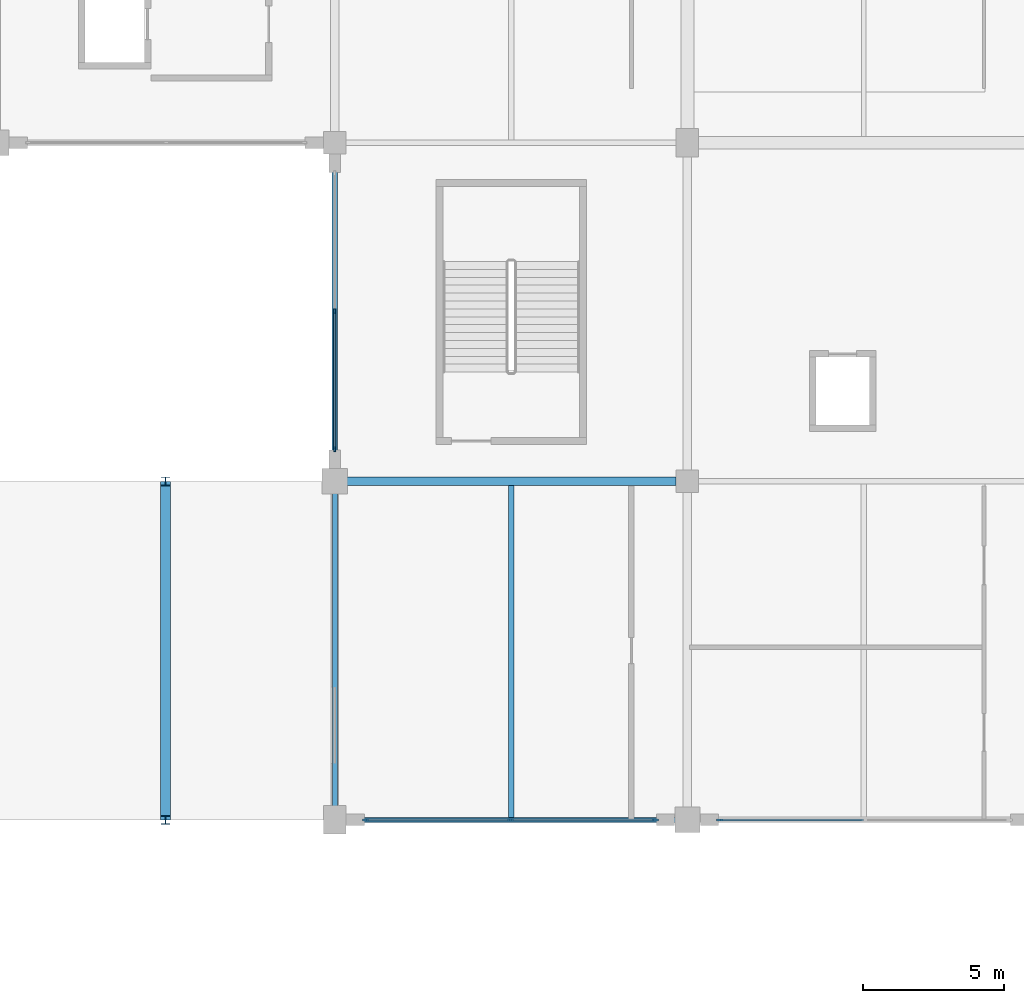
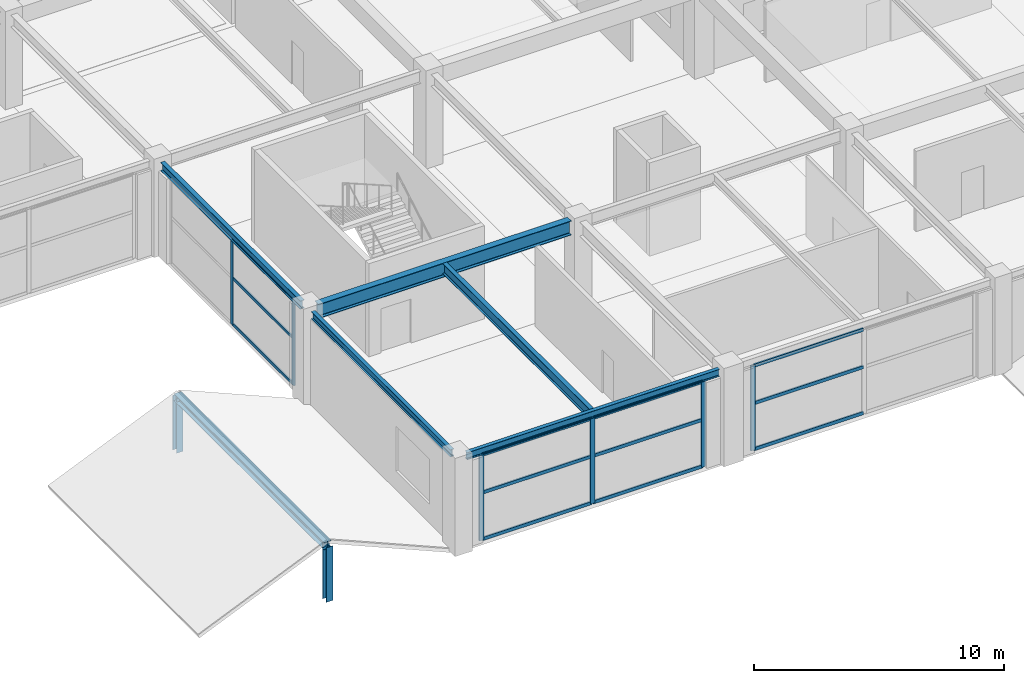
# One storey, part 5 of 134: 21 members, 5 beams, 3 elements without a shape of their own.
"""IFC4 building model written with IfcOpenShell, lengths in metres."""

from ifc_helpers import new_model, si_unit, direction, frame, origin, origin_2d, place, context, subcontext, project, spatial, rectangle, i_section, extrude, material, layer, layer_set, material_profile, profile_set, type_object, element, aggregate, save


model = new_model("IFC4")

# Units and contexts
model_context = context("Model", 3, precision=1e-05, world=origin(), true_north=direction((0.0, 1.0)))
body_context = subcontext(model_context, "Body", "Model", "MODEL_VIEW")
ifc_project = project(units=[si_unit("LENGTHUNIT", "METRE"), si_unit("AREAUNIT", "SQUARE_METRE"), si_unit("VOLUMEUNIT", "CUBIC_METRE"), si_unit("PLANEANGLEUNIT", "RADIAN"), si_unit("MASSUNIT", "GRAM", prefix="KILO")], contexts=[model_context])

# Site, building, storey
site_placement = place(None, origin())
site = spatial("IfcSite", under=ifc_project, at=site_placement, CompositionType="ELEMENT")
building_placement = place(site_placement, origin())
building = spatial("IfcBuilding", under=site, at=building_placement, Name="Kazenohara Klinker Stadium", CompositionType="ELEMENT")
storey_placement = place(building_placement, frame((0.0, 0.0, 5.39990234375)))
storey = spatial("IfcBuildingStorey", under=building, at=storey_placement, Name="L01", CompositionType="ELEMENT", Elevation=5.39990234375)

# Beams
ifc_material_1 = material(Name="Steel S355", Category="steel")
ifc_material_profile_1 = material_profile(ifc_material_1, i_section(OverallWidth=0.199951171875, OverallDepth=0.5, WebThickness=0.010009765625, FlangeThickness=0.01611328125, FilletRadius=0.012939453125, at=origin_2d()), Name="H-500x200x10x16")
ifc_profile_set_1 = profile_set([ifc_material_profile_1], Name="Steel S355")
beam_type_1 = type_object("IfcBeamType", Name="BM-JST01", PredefinedType="JOIST", material=ifc_profile_set_1)
beam_1_placement = place(storey_placement, frame((30.25, 12.08740234375, 4.300048828125), z_axis=(0.0, 1.0, 0.0), x_axis=(-1.0, 0.0, 0.0)))
element("IfcBeam", 1, at=beam_1_placement, inside=storey, type_object=beam_type_1, Name="Secondary floor joist SJ01 L01 3/B", PredefinedType="JOIST", context=body_context, shape_type="SweptSolid", body=[
    extrude(i_section(OverallWidth=0.199951171875, OverallDepth=0.5, WebThickness=0.010009765625, FlangeThickness=0.01611328125, FilletRadius=0.012939453125, at=origin_2d()), origin(), (0.0, 0.0, 1.0), 11.7626953125),
])
ifc_material_profile_2 = material_profile(ifc_material_1, i_section(OverallWidth=0.199951171875, OverallDepth=0.39990234375, WebThickness=0.008056640625, FlangeThickness=0.012939453125, FilletRadius=0.012939453125, at=origin_2d()), Name="H-400x200x8x13")
ifc_profile_set_2 = profile_set([ifc_material_profile_2], Name="Steel S355")
beam_type_2 = type_object("IfcBeamType", Name="BM-SPD01", PredefinedType="SPANDREL", material=ifc_profile_set_2)
beam_2_placement = place(storey_placement, frame((24.0, 24.419921875, 4.35009765625), z_axis=(0.0, 1.0, 0.0), x_axis=(-1.0, 0.0, 0.0)))
element("IfcBeam", 2, at=beam_2_placement, inside=storey, type_object=beam_type_2, Name="Primary girder SP01 L01 3/C-D", PredefinedType="SPANDREL", context=body_context, shape_type="SweptSolid", body=[
    extrude(i_section(OverallWidth=0.199951171875, OverallDepth=0.39990234375, WebThickness=0.008056640625, FlangeThickness=0.012939453125, FilletRadius=0.012939453125, at=origin_2d()), origin(), (0.0, 0.0, 1.0), 11.18017578125),
])
ifc_material_profile_3 = material_profile(ifc_material_1, i_section(OverallWidth=0.175048828125, OverallDepth=0.35009765625, WebThickness=0.007080078125, FlangeThickness=0.010986328125, FilletRadius=0.012939453125, at=origin_2d()), Name="H-350x175x7x11")
ifc_profile_set_3 = profile_set([ifc_material_profile_3], Name="Steel S355")
beam_type_3 = type_object("IfcBeamType", Name="BM-SPD02", PredefinedType="SPANDREL", material=ifc_profile_set_3)
beam_3_placement = place(storey_placement, frame((24.39990234375, 12.0, 4.375), z_axis=(1.0, 0.0, 0.0), x_axis=(0.0, 1.0, 0.0)))
element("IfcBeam", 3, at=beam_3_placement, inside=storey, type_object=beam_type_3, Name="Primary girder SP02 L01 3-4/B", PredefinedType="SPANDREL", context=body_context, shape_type="SweptSolid", body=[
    extrude(i_section(OverallWidth=0.175048828125, OverallDepth=0.35009765625, WebThickness=0.007080078125, FlangeThickness=0.010986328125, FilletRadius=0.012939453125, at=origin_2d()), origin(), (0.0, 0.0, 1.0), 11.68017578125),
])
beam_4_placement = place(storey_placement, frame((24.0, 12.419921875, 4.375), z_axis=(0.0, 1.0, 0.0), x_axis=(-1.0, 0.0, 0.0)))
element("IfcBeam", 4, at=beam_4_placement, inside=storey, type_object=beam_type_3, Name="Primary girder SP02 L01 3/B-C", PredefinedType="SPANDREL", context=body_context, shape_type="SweptSolid", body=[
    extrude(i_section(OverallWidth=0.175048828125, OverallDepth=0.35009765625, WebThickness=0.007080078125, FlangeThickness=0.010986328125, FilletRadius=0.012939453125, at=origin_2d()), origin(), (0.0, 0.0, 1.0), 11.16015625),
])
ifc_material_profile_4 = material_profile(ifc_material_1, i_section(OverallWidth=0.300048828125, OverallDepth=0.699951171875, WebThickness=0.012939453125, FlangeThickness=0.02392578125, FilletRadius=0.02197265625, at=origin_2d()), Name="H-700x300x13x24")
ifc_profile_set_4 = profile_set([ifc_material_profile_4], Name="Steel S355")
beam_type_4 = type_object("IfcBeamType", Name="BM-ST03", PredefinedType="BEAM", material=ifc_profile_set_4)
beam_5_placement = place(storey_placement, frame((24.419921875, 24.0, 4.2001953125), z_axis=(1.0, 0.0, 0.0), x_axis=(0.0, 1.0, 0.0)))
element("IfcBeam", 5, at=beam_5_placement, inside=storey, type_object=beam_type_4, Name="Primary girder SB03 L01 3-4/C", PredefinedType="BEAM", context=body_context, shape_type="SweptSolid", body=[
    extrude(i_section(OverallWidth=0.300048828125, OverallDepth=0.699951171875, WebThickness=0.012939453125, FlangeThickness=0.02392578125, FilletRadius=0.02197265625, at=origin_2d()), origin(), (0.0, 0.0, 1.0), 11.68017578125),
])

# Curtain wall, members
ifc_material_2 = material(Name="Anodised aluminium and triple glazing", Category="aluminium")
ifc_layer_1 = layer(ifc_material_2, 0.179931640625)
ifc_layer_set_1 = layer_set([ifc_layer_1], Name="Anodised aluminium and triple glazing")
curtain_wall_type_1 = type_object("IfcCurtainWallType", Name="CW-SYS-02", PredefinedType="USERDEFINED", material=ifc_layer_set_1)
curtain_wall_1_placement = place(storey_placement, origin())
curtain_wall_1 = element("IfcCurtainWall", 6, at=curtain_wall_1_placement, inside=storey, type_object=curtain_wall_type_1, Name="Unitised facade curtain wall CW02 L01 Y2-2", ObjectType="UNITISED CURTAIN WALL", PredefinedType="USERDEFINED")
ifc_material_3 = material(Name="Anodised aluminium 6063-T6", Category="aluminium")
ifc_material_profile_5 = material_profile(ifc_material_3, rectangle(XDim=0.06494140625, YDim=0.179931640625, at=origin_2d()), Name="ALU-MUL-65x180")
ifc_profile_set_5 = profile_set([ifc_material_profile_5], Name="Anodised aluminium 6063-T6")
member_type_1 = type_object("IfcMemberType", Name="CW-MUL-180", PredefinedType="MULLION", material=ifc_profile_set_5)
member_1_placement = place(storey_placement, frame((24.0, 25.136474609375, 0.0), z_axis=(0.0, 0.0, 1.0), x_axis=(-1.0, 0.0, 0.0)))
member_1 = element("IfcMember", 7, at=member_1_placement, type_object=member_type_1, Name="CW02 mullion 1", PredefinedType="MULLION", context=body_context, shape_type="SweptSolid", body=[
    extrude(rectangle(XDim=0.06494140625, YDim=0.179931640625, at=origin_2d()), origin(), (0.0, 0.0, 1.0), 4.150146484375),
])
member_2_placement = place(storey_placement, frame((24.0, 30.02490234375, 0.0), z_axis=(0.0, 0.0, 1.0), x_axis=(-1.0, 0.0, 0.0)))
member_2 = element("IfcMember", 8, at=member_2_placement, type_object=member_type_1, Name="CW02 mullion 2", PredefinedType="MULLION", context=body_context, shape_type="SweptSolid", body=[
    extrude(rectangle(XDim=0.06494140625, YDim=0.179931640625, at=origin_2d()), origin(), (0.0, 0.0, 1.0), 4.150146484375),
])

ifc_layer_2 = layer(ifc_material_2, 0.159912109375)
ifc_layer_set_2 = layer_set([ifc_layer_2], Name="Anodised aluminium and triple glazing")
curtain_wall_type_2 = type_object("IfcCurtainWallType", Name="CW-SYS-01", PredefinedType="USERDEFINED", material=ifc_layer_set_2)
curtain_wall_2_placement = place(storey_placement, origin())
curtain_wall_2 = element("IfcCurtainWall", 9, at=curtain_wall_2_placement, inside=storey, type_object=curtain_wall_type_2, Name="Unitised facade curtain wall CW01 L01 X2-1", ObjectType="UNITISED CURTAIN WALL", PredefinedType="USERDEFINED")
ifc_material_profile_6 = material_profile(ifc_material_3, rectangle(XDim=0.074951171875, YDim=0.219970703125, at=origin_2d()), Name="ALU-MUL-75x220")
ifc_profile_set_6 = profile_set([ifc_material_profile_6], Name="Anodised aluminium 6063-T6")
member_type_2 = type_object("IfcMemberType", Name="CW-MUL-220", PredefinedType="MULLION", material=ifc_profile_set_6)
member_3_placement = place(storey_placement, frame((25.091552734375, 12.0, 0.0), z_axis=(0.0, 0.0, 1.0), x_axis=(0.0, 1.0, 0.0)))
member_3 = element("IfcMember", 10, at=member_3_placement, type_object=member_type_2, Name="CW01 mullion 1", PredefinedType="MULLION", context=body_context, shape_type="SweptSolid", body=[
    extrude(rectangle(XDim=0.074951171875, YDim=0.219970703125, at=origin_2d()), origin(), (0.0, 0.0, 1.0), 4.2001953125),
])
member_4_placement = place(storey_placement, frame((30.22509765625, 12.0, 0.0), z_axis=(0.0, 0.0, 1.0), x_axis=(0.0, 1.0, 0.0)))
member_4 = element("IfcMember", 11, at=member_4_placement, type_object=member_type_2, Name="CW01 mullion 2", PredefinedType="MULLION", context=body_context, shape_type="SweptSolid", body=[
    extrude(rectangle(XDim=0.074951171875, YDim=0.219970703125, at=origin_2d()), origin(), (0.0, 0.0, 1.0), 4.2001953125),
])
member_5_placement = place(storey_placement, frame((35.3583984375, 12.0, 0.0), z_axis=(0.0, 0.0, 1.0), x_axis=(0.0, 1.0, 0.0)))
member_5 = element("IfcMember", 12, at=member_5_placement, type_object=member_type_2, Name="CW01 mullion 3", PredefinedType="MULLION", context=body_context, shape_type="SweptSolid", body=[
    extrude(rectangle(XDim=0.074951171875, YDim=0.219970703125, at=origin_2d()), origin(), (0.0, 0.0, 1.0), 4.2001953125),
])

# Curtain wall, member
ifc_layer_3 = layer(ifc_material_2, 0.199951171875)
ifc_layer_set_3 = layer_set([ifc_layer_3], Name="Anodised aluminium and triple glazing")
curtain_wall_type_3 = type_object("IfcCurtainWallType", Name="CW-SYS-03", PredefinedType="USERDEFINED", material=ifc_layer_set_3)
curtain_wall_3_placement = place(storey_placement, origin())
curtain_wall_3 = element("IfcCurtainWall", 13, at=curtain_wall_3_placement, inside=storey, type_object=curtain_wall_type_3, Name="Unitised facade curtain wall CW03 L01 X3-1", ObjectType="UNITISED CURTAIN WALL", PredefinedType="USERDEFINED")
member_6_placement = place(storey_placement, frame((37.6416015625, 12.0, 0.0), z_axis=(0.0, 0.0, 1.0), x_axis=(0.0, 1.0, 0.0)))
member_6 = element("IfcMember", 14, at=member_6_placement, type_object=member_type_2, Name="CW03 mullion 1", PredefinedType="MULLION", context=body_context, shape_type="SweptSolid", body=[
    extrude(rectangle(XDim=0.074951171875, YDim=0.219970703125, at=origin_2d()), origin(), (0.0, 0.0, 1.0), 4.150146484375),
])

# Member
ifc_material_profile_7 = material_profile(ifc_material_3, rectangle(XDim=0.06494140625, YDim=0.139892578125, at=origin_2d()), Name="ALU-TRN-65x140")
ifc_profile_set_7 = profile_set([ifc_material_profile_7], Name="Anodised aluminium 6063-T6")
member_type_3 = type_object("IfcMemberType", Name="CW-TRN-140", PredefinedType="USERDEFINED", material=ifc_profile_set_7)
member_7_placement = place(storey_placement, frame((24.0, 25.1689453125, 0.03271484375), z_axis=(0.0, 1.0, 0.0), x_axis=(-1.0, 0.0, 0.0)))
member_7 = element("IfcMember", 15, at=member_7_placement, type_object=member_type_3, Name="CW02 transom 1.1", ObjectType="TRANSOM", PredefinedType="USERDEFINED", context=body_context, shape_type="SweptSolid", body=[
    extrude(rectangle(XDim=0.06494140625, YDim=0.139892578125, at=origin_2d()), origin(), (0.0, 0.0, 1.0), 4.823486328125),
])

member_8_placement = place(storey_placement, frame((24.0, 25.1689453125, 2.28271484375), z_axis=(0.0, 1.0, 0.0), x_axis=(-1.0, 0.0, 0.0)))
member_8 = element("IfcMember", 16, at=member_8_placement, type_object=member_type_3, Name="CW02 transom 1.2", ObjectType="TRANSOM", PredefinedType="USERDEFINED", context=body_context, shape_type="SweptSolid", body=[
    extrude(rectangle(XDim=0.06494140625, YDim=0.139892578125, at=origin_2d()), origin(), (0.0, 0.0, 1.0), 4.823486328125),
])

member_9_placement = place(storey_placement, frame((24.0, 25.1689453125, 4.11767578125), z_axis=(0.0, 1.0, 0.0), x_axis=(-1.0, 0.0, 0.0)))
member_9 = element("IfcMember", 17, at=member_9_placement, type_object=member_type_3, Name="CW02 transom 1.3", ObjectType="TRANSOM", PredefinedType="USERDEFINED", context=body_context, shape_type="SweptSolid", body=[
    extrude(rectangle(XDim=0.06494140625, YDim=0.139892578125, at=origin_2d()), origin(), (0.0, 0.0, 1.0), 4.823486328125),
])

aggregate(curtain_wall_1, [member_1, member_2, member_7, member_8, member_9])

ifc_material_profile_8 = material_profile(ifc_material_3, rectangle(XDim=0.074951171875, YDim=0.159912109375, at=origin_2d()), Name="ALU-TRN-75x160")
ifc_profile_set_8 = profile_set([ifc_material_profile_8], Name="Anodised aluminium 6063-T6")
member_type_4 = type_object("IfcMemberType", Name="CW-TRN-160", PredefinedType="USERDEFINED", material=ifc_profile_set_8)
member_10_placement = place(storey_placement, frame((25.12890625, 12.0, 0.03759765625), z_axis=(1.0, 0.0, 0.0), x_axis=(0.0, 1.0, 0.0)))
member_10 = element("IfcMember", 18, at=member_10_placement, type_object=member_type_4, Name="CW01 transom 1.1", ObjectType="TRANSOM", PredefinedType="USERDEFINED", context=body_context, shape_type="SweptSolid", body=[
    extrude(rectangle(XDim=0.074951171875, YDim=0.159912109375, at=origin_2d()), origin(), (0.0, 0.0, 1.0), 5.05859375),
])

member_11_placement = place(storey_placement, frame((25.12890625, 12.0, 2.31005859375), z_axis=(1.0, 0.0, 0.0), x_axis=(0.0, 1.0, 0.0)))
member_11 = element("IfcMember", 19, at=member_11_placement, type_object=member_type_4, Name="CW01 transom 1.2", ObjectType="TRANSOM", PredefinedType="USERDEFINED", context=body_context, shape_type="SweptSolid", body=[
    extrude(rectangle(XDim=0.074951171875, YDim=0.159912109375, at=origin_2d()), origin(), (0.0, 0.0, 1.0), 5.05859375),
])

member_12_placement = place(storey_placement, frame((25.12890625, 12.0, 4.16259765625), z_axis=(1.0, 0.0, 0.0), x_axis=(0.0, 1.0, 0.0)))
member_12 = element("IfcMember", 20, at=member_12_placement, type_object=member_type_4, Name="CW01 transom 1.3", ObjectType="TRANSOM", PredefinedType="USERDEFINED", context=body_context, shape_type="SweptSolid", body=[
    extrude(rectangle(XDim=0.074951171875, YDim=0.159912109375, at=origin_2d()), origin(), (0.0, 0.0, 1.0), 5.05859375),
])

member_13_placement = place(storey_placement, frame((30.262451171875, 12.0, 0.03759765625), z_axis=(1.0, 0.0, 0.0), x_axis=(0.0, 1.0, 0.0)))
member_13 = element("IfcMember", 21, at=member_13_placement, type_object=member_type_4, Name="CW01 transom 2.1", ObjectType="TRANSOM", PredefinedType="USERDEFINED", context=body_context, shape_type="SweptSolid", body=[
    extrude(rectangle(XDim=0.074951171875, YDim=0.159912109375, at=origin_2d()), origin(), (0.0, 0.0, 1.0), 5.05859375),
])

member_14_placement = place(storey_placement, frame((30.262451171875, 12.0, 2.31005859375), z_axis=(1.0, 0.0, 0.0), x_axis=(0.0, 1.0, 0.0)))
member_14 = element("IfcMember", 22, at=member_14_placement, type_object=member_type_4, Name="CW01 transom 2.2", ObjectType="TRANSOM", PredefinedType="USERDEFINED", context=body_context, shape_type="SweptSolid", body=[
    extrude(rectangle(XDim=0.074951171875, YDim=0.159912109375, at=origin_2d()), origin(), (0.0, 0.0, 1.0), 5.05859375),
])

member_15_placement = place(storey_placement, frame((30.262451171875, 12.0, 4.16259765625), z_axis=(1.0, 0.0, 0.0), x_axis=(0.0, 1.0, 0.0)))
member_15 = element("IfcMember", 23, at=member_15_placement, type_object=member_type_4, Name="CW01 transom 2.3", ObjectType="TRANSOM", PredefinedType="USERDEFINED", context=body_context, shape_type="SweptSolid", body=[
    extrude(rectangle(XDim=0.074951171875, YDim=0.159912109375, at=origin_2d()), origin(), (0.0, 0.0, 1.0), 5.05859375),
])

aggregate(curtain_wall_2, [member_3, member_4, member_5, member_10, member_11, member_12, member_13, member_14, member_15])

member_16_placement = place(storey_placement, frame((37.678955078125, 12.0, 0.03759765625), z_axis=(1.0, 0.0, 0.0), x_axis=(0.0, 1.0, 0.0)))
member_16 = element("IfcMember", 24, at=member_16_placement, type_object=member_type_4, Name="CW03 transom 1.1", ObjectType="TRANSOM", PredefinedType="USERDEFINED", context=body_context, shape_type="SweptSolid", body=[
    extrude(rectangle(XDim=0.074951171875, YDim=0.159912109375, at=origin_2d()), origin(), (0.0, 0.0, 1.0), 5.05859375),
])

member_17_placement = place(storey_placement, frame((37.678955078125, 12.0, 2.28271484375), z_axis=(1.0, 0.0, 0.0), x_axis=(0.0, 1.0, 0.0)))
member_17 = element("IfcMember", 25, at=member_17_placement, type_object=member_type_4, Name="CW03 transom 1.2", ObjectType="TRANSOM", PredefinedType="USERDEFINED", context=body_context, shape_type="SweptSolid", body=[
    extrude(rectangle(XDim=0.074951171875, YDim=0.159912109375, at=origin_2d()), origin(), (0.0, 0.0, 1.0), 5.05859375),
])

member_18_placement = place(storey_placement, frame((37.678955078125, 12.0, 4.112548828125), z_axis=(1.0, 0.0, 0.0), x_axis=(0.0, 1.0, 0.0)))
member_18 = element("IfcMember", 26, at=member_18_placement, type_object=member_type_4, Name="CW03 transom 1.3", ObjectType="TRANSOM", PredefinedType="USERDEFINED", context=body_context, shape_type="SweptSolid", body=[
    extrude(rectangle(XDim=0.074951171875, YDim=0.159912109375, at=origin_2d()), origin(), (0.0, 0.0, 1.0), 5.05859375),
])

aggregate(curtain_wall_3, [member_6, member_16, member_17, member_18])

# Members
ifc_material_profile_9 = material_profile(ifc_material_1, i_section(OverallWidth=0.35009765625, OverallDepth=0.35009765625, WebThickness=0.011962890625, FlangeThickness=0.01904296875, FilletRadius=0.012939453125, at=origin_2d()), Name="H-350x350x12x19")
ifc_profile_set_9 = profile_set([ifc_material_profile_9], Name="Steel S355")
member_type_5 = type_object("IfcMemberType", Name="MEM-CHD02", PredefinedType="CHORD", material=ifc_profile_set_9)
member_19_placement = place(storey_placement, frame((18.0, 12.0, 2.22998046875), z_axis=(0.0, 1.0, 0.0), x_axis=(-1.0, 0.0, 0.0)))
element("IfcMember", 27, at=member_19_placement, inside=storey, type_object=member_type_5, Name="Stepped pavilion gable ridge beam L01 2/B", PredefinedType="CHORD", context=body_context, shape_type="SweptSolid", body=[
    extrude(i_section(OverallWidth=0.35009765625, OverallDepth=0.35009765625, WebThickness=0.011962890625, FlangeThickness=0.01904296875, FilletRadius=0.012939453125, at=origin_2d()), origin(), (0.0, 0.0, 1.0), 12.0),
])
ifc_material_profile_10 = material_profile(ifc_material_1, i_section(OverallWidth=0.300048828125, OverallDepth=0.300048828125, WebThickness=0.010009765625, FlangeThickness=0.014892578125, FilletRadius=0.012939453125, at=origin_2d()), Name="H-300x300x10x15")
ifc_profile_set_10 = profile_set([ifc_material_profile_10], Name="Steel S355")
member_type_6 = type_object("IfcMemberType", Name="MEM-STR01", PredefinedType="STRUT", material=ifc_profile_set_10)
for number, where, z_axis, x_axis, name in (
    (28, (18.0, 12.0, -0.429931640625), (0.0, 0.0, 1.0), (1.0, 0.0, 0.0), "Stepped pavilion gable king-post L01 2/B S"),
    (29, (18.0, 24.0, -0.429931640625), (0.0, 0.0, 1.0), (1.0, 0.0, 0.0), "Stepped pavilion gable king-post L01 2/B N"),
):
    element("IfcMember", number, at=place(storey_placement, frame(where, z_axis=z_axis, x_axis=x_axis)), inside=storey, type_object=member_type_6, Name=name, PredefinedType="STRUT", context=body_context, shape_type="SweptSolid", body=[
        extrude(i_section(OverallWidth=0.300048828125, OverallDepth=0.300048828125, WebThickness=0.010009765625, FlangeThickness=0.014892578125, FilletRadius=0.012939453125, at=origin_2d()), origin(), (0.0, 0.0, 1.0), 2.659912109375),
    ])

save(model, "model.ifc")
